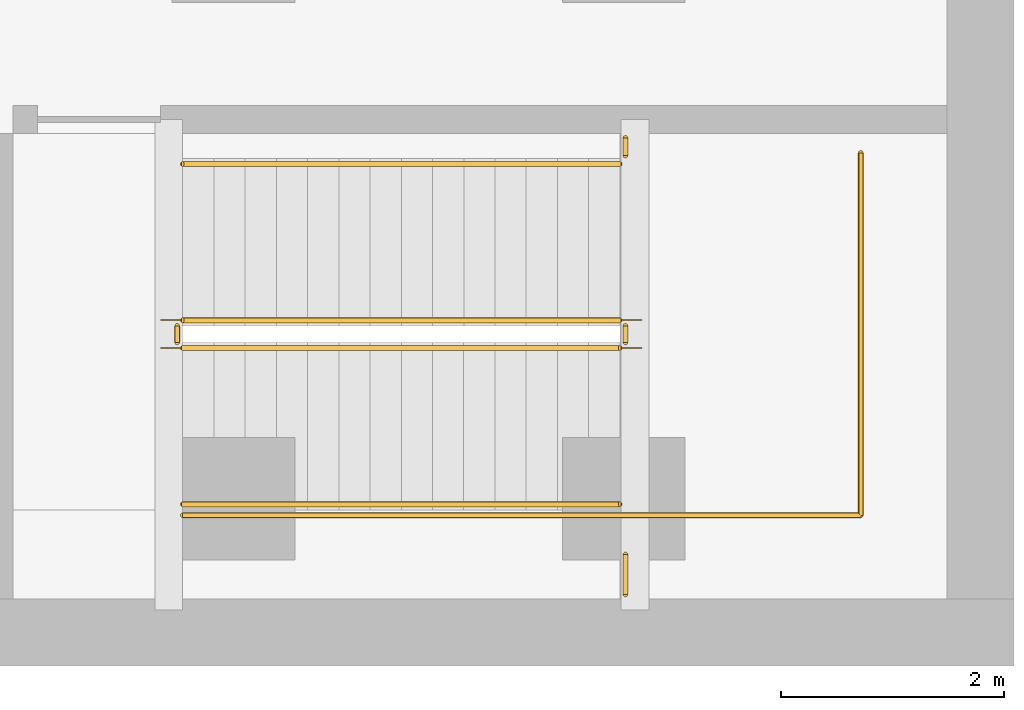
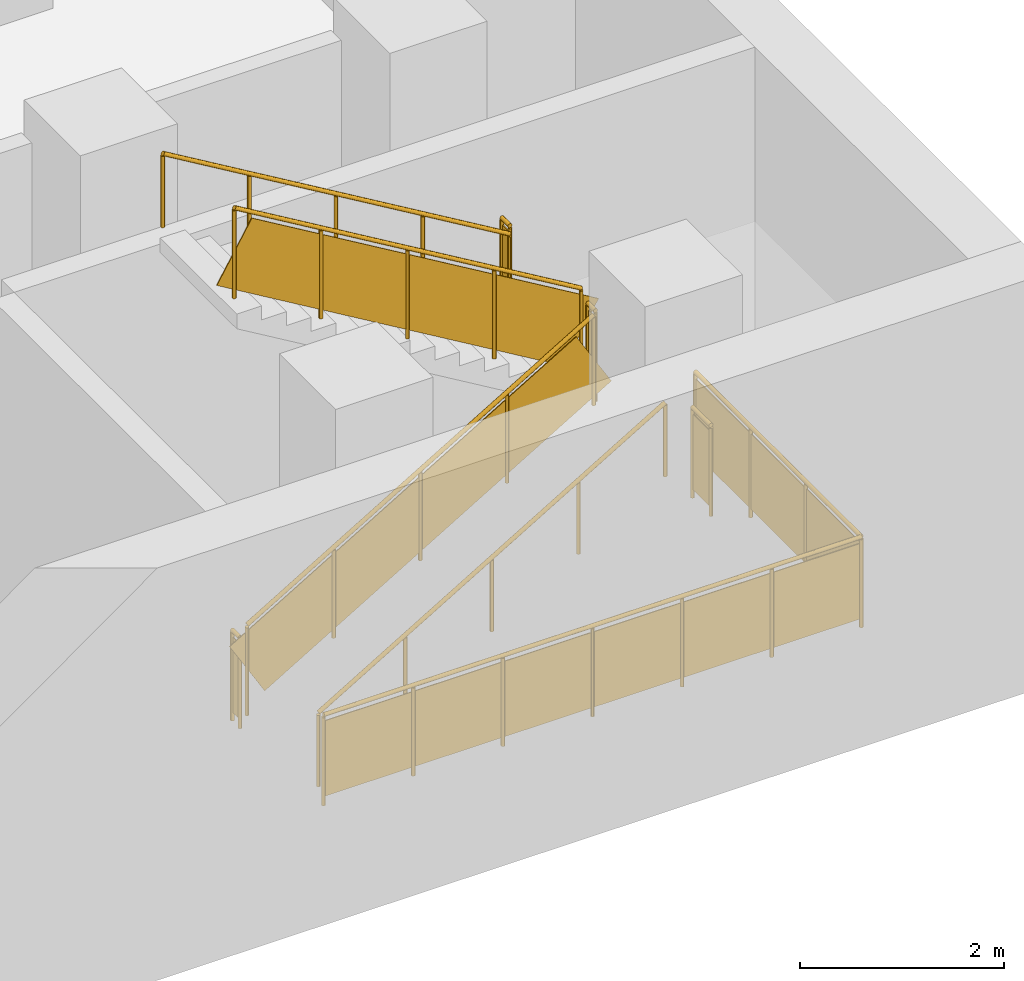
# One storey, part 10 of 12: 9 railings.
"""IFC4 building model written with IfcOpenShell, lengths in metres."""

import ifcopenshell
import ifcopenshell.guid

model = None  # the IFC model being written
_history = None  # IfcOwnerHistory: only IFC2X3 demands one
_inside = {}  # id of a spatial element -> (the spatial element, [elements in it])
_under = {}  # id of a project, library or spatial element -> (it, [spatial elements below it])
_declared = {}  # id of a project -> (the project, [libraries it declares])
_typed = {}  # id of a type object -> (the type object, [elements of that type])
_made_of = {}  # id of a material, layer set ... -> (it, [elements and type objects made of it])


def new_model(schema):
    """Start an empty IFC model of exactly this schema.

    Asked for "IFC4X3", IfcOpenShell would pick the latest addendum, in which some entities
    have other attributes; the version numbers below select the first issue.
    IFC2X3 requires an IfcOwnerHistory on every rooted entity: one is made here for all.
    """
    global model, _history
    if schema == "IFC4X3":
        model = ifcopenshell.file(schema_version=(4, 3, 0, 0))
    else:
        model = ifcopenshell.file(schema=schema)
    _inside.clear()
    _under.clear()
    _declared.clear()
    _typed.clear()
    _made_of.clear()
    _history = None
    if model.schema == "IFC2X3":
        org = make("IfcOrganization", Name="unknown")
        user = make(
            "IfcPersonAndOrganization",
            ThePerson=make("IfcPerson", FamilyName="unknown"),
            TheOrganization=org,
        )
        app = make(
            "IfcApplication",
            ApplicationDeveloper=org,
            Version="unknown",
            ApplicationFullName="unknown",
            ApplicationIdentifier="unknown",
        )
        _history = make(
            "IfcOwnerHistory",
            OwningUser=user,
            OwningApplication=app,
            ChangeAction="ADDED",
            CreationDate=0,
        )
    return model


def make(cls, **values):
    """One entity of the class cls with the attributes given. An attribute that is None is left unset."""
    return model.create_entity(
        cls, **{name: value for name, value in values.items() if value is not None}
    )


def rooted(cls, **values):
    """An entity with a GlobalId (a new one), such as an element, a storey or a relation."""
    return make(cls, GlobalId=ifcopenshell.guid.new(), OwnerHistory=_history, **values)


def si_unit(unit_type, name, prefix=None):
    """IfcSIUnit, for example si_unit("LENGTHUNIT", "METRE", prefix="MILLI")."""
    return make("IfcSIUnit", UnitType=unit_type, Prefix=prefix, Name=name)


def assignment(units):
    """IfcUnitAssignment: the units of a project."""
    return None if units is None else make("IfcUnitAssignment", Units=units)


def point(xyz):
    """IfcCartesianPoint."""
    return None if xyz is None else make("IfcCartesianPoint", Coordinates=xyz)


def direction(xyz):
    """IfcDirection."""
    return None if xyz is None else make("IfcDirection", DirectionRatios=xyz)


def frame(location, z_axis=None, x_axis=None):
    """IfcAxis2Placement3D, a coordinate frame: its origin and axes. An axis left out is left unset."""
    return make(
        "IfcAxis2Placement3D",
        Location=point(location),
        Axis=direction(z_axis),
        RefDirection=direction(x_axis),
    )


def frame_2d(location, x_axis=None):
    """IfcAxis2Placement2D, a coordinate frame in the plane: its origin and x axis."""
    return make(
        "IfcAxis2Placement2D", Location=point(location), RefDirection=direction(x_axis)
    )


def origin():
    """The frame at (0, 0, 0) with its axes left unset."""
    return frame((0.0, 0.0, 0.0))


def origin_2d():
    """The frame at (0, 0) in the plane with its x axis left unset."""
    return frame_2d((0.0, 0.0))


def place(relative_to, where):
    """IfcLocalPlacement: puts the frame where relative to a parent placement (None: the world)."""
    return make(
        "IfcLocalPlacement", PlacementRelTo=relative_to, RelativePlacement=where
    )


def context(
    kind, dimensions, precision=None, world=None, true_north=None, identifier=None
):
    """IfcGeometricRepresentationContext, for example the 3D "Model" context."""
    return make(
        "IfcGeometricRepresentationContext",
        ContextIdentifier=identifier,
        ContextType=kind,
        CoordinateSpaceDimension=dimensions,
        Precision=precision,
        WorldCoordinateSystem=world,
        TrueNorth=true_north,
    )


def subcontext(parent, identifier, kind, view, scale=None):
    """IfcGeometricRepresentationSubContext, for example "Body" below "Model"."""
    return make(
        "IfcGeometricRepresentationSubContext",
        ContextIdentifier=identifier,
        ContextType=kind,
        ParentContext=parent,
        TargetScale=scale,
        TargetView=view,
    )


def project(units=None, contexts=None):
    """IfcProject with its units and contexts."""
    return rooted(
        "IfcProject",
        Name="project",
        RepresentationContexts=contexts,
        UnitsInContext=assignment(units),
    )


def spatial(cls, under=None, at=None, **own):
    """A site, building, storey or space (cls), placed at a placement, below another one or the project."""
    s = rooted(cls, ObjectPlacement=at, **own)
    if under is not None:
        _under.setdefault(under.id(), (under, []))[1].append(s)
    return s


def profile(cls, at=None, kind="AREA", **sizes):
    """A parametric profile (cls). Its sizes go by their IFC names, for example OverallWidth=200.0."""
    return make(cls, ProfileType=kind, Position=at, **sizes)


def rectangle(**sizes):
    """IfcRectangleProfileDef."""
    return profile("IfcRectangleProfileDef", **sizes)


def circle(**sizes):
    """IfcCircleProfileDef."""
    return profile("IfcCircleProfileDef", **sizes)


def extrude(swept, where, along, depth):
    """IfcExtrudedAreaSolid: the profile swept, set in the frame where, extruded along a direction by depth."""
    return make(
        "IfcExtrudedAreaSolid",
        SweptArea=swept,
        Position=where,
        ExtrudedDirection=direction(along),
        Depth=depth,
    )


def shape(context_of_items, identifier, shape_type, items):
    """IfcShapeRepresentation: the items that make up one representation, for example the "Body"."""
    return make(
        "IfcShapeRepresentation",
        ContextOfItems=context_of_items,
        RepresentationIdentifier=identifier,
        RepresentationType=shape_type,
        Items=items,
    )


def material(Name=None, Category=None):
    """IfcMaterial."""
    return make("IfcMaterial", Name=Name, Category=Category)


def made_of(thing, what):
    """Note that an element or type object is made of a material, layer set ...; save() writes the relation."""
    if what is not None:
        _made_of.setdefault(what.id(), (what, []))[1].append(thing)
    return thing


def type_object(cls, material=None, **own):
    """A type object (cls), such as IfcWallType, which elements share."""
    return made_of(rooted(cls, **own), material)


def element(
    cls,
    number,
    at=None,
    inside=None,
    cuts=None,
    type_object=None,
    material=None,
    context=None,
    identifier="Body",
    shape_type=None,
    held_by="IfcProductDefinitionShape",
    body=None,
    shapes=None,
    **own,
):
    """One element of the class cls, such as IfcWall. Its Tag is "e" and its number.

    at: its placement. inside: the storey or other place that contains it. cuts: it is an
    opening in that element (IfcRelVoidsElement). A single representation is given by context,
    identifier, shape_type and body (its items); several are given by shapes. held_by: the class
    of the entity that holds the representations. save() writes the other relations.
    """
    e = rooted(cls, Tag="e%d" % number, ObjectPlacement=at, **own)
    if body is not None:
        shapes = [shape(context, identifier, shape_type, body)]
    if shapes is not None:
        e.Representation = make(held_by, Representations=shapes)
    if inside is not None:
        _inside.setdefault(inside.id(), (inside, []))[1].append(e)
    if cuts is not None:
        rooted(
            "IfcRelVoidsElement", RelatingBuildingElement=cuts, RelatedOpeningElement=e
        )
    if type_object is not None:
        _typed.setdefault(type_object.id(), (type_object, []))[1].append(e)
    return made_of(e, material)


def aggregate(whole, parts):
    """IfcRelAggregates: a whole, such as a stair, and the parts it consists of."""
    return rooted("IfcRelAggregates", RelatingObject=whole, RelatedObjects=parts)


def save(model, path):
    """Write the relations noted so far, then the file.

    IfcRelAggregates (storeys below a building ...), IfcRelContainedInSpatialStructure (elements
    in a storey), IfcRelDefinesByType, IfcRelAssociatesMaterial and IfcRelDeclares: one each for
    every whole, place, type object, material and project.
    """
    for whole, parts in _under.values():
        aggregate(whole, parts)
    for where, things in _inside.values():
        rooted(
            "IfcRelContainedInSpatialStructure",
            RelatedElements=things,
            RelatingStructure=where,
        )
    for kind, things in _typed.values():
        rooted("IfcRelDefinesByType", RelatedObjects=things, RelatingType=kind)
    for what, things in _made_of.values():
        rooted("IfcRelAssociatesMaterial", RelatedObjects=things, RelatingMaterial=what)
    for by, libraries in _declared.values():
        rooted("IfcRelDeclares", RelatingContext=by, RelatedDefinitions=libraries)
    model.write(path)


model = new_model("IFC4")

# Units and contexts
model_context = context("Model", 3, precision=1e-05, world=origin(), true_north=direction((0.0, 1.0)))
body_context = subcontext(model_context, "Body", "Model", "MODEL_VIEW")
ifc_project = project(units=[si_unit("LENGTHUNIT", "METRE"), si_unit("AREAUNIT", "SQUARE_METRE"), si_unit("VOLUMEUNIT", "CUBIC_METRE"), si_unit("PLANEANGLEUNIT", "RADIAN"), si_unit("MASSUNIT", "GRAM", prefix="KILO")], contexts=[model_context])

# Site, building, storey
site_placement = place(None, origin())
site = spatial("IfcSite", under=ifc_project, at=site_placement, CompositionType="ELEMENT")
building_placement = place(site_placement, origin())
building = spatial("IfcBuilding", under=site, at=building_placement, Name="Vidyagriha Tower", CompositionType="ELEMENT")
storey_placement = place(building_placement, frame((0.0, 0.0, -5.0)))
storey = spatial("IfcBuildingStorey", under=building, at=storey_placement, Name="B1", CompositionType="ELEMENT", Elevation=-5.0)

# Railings
ifc_material_1 = material(Name="Powder coated ASTM A500 Grade C steel balustrade", Category="steel")
railing_type_1 = type_object("IfcRailingType", Name="Podium Stair Guard 1100", PredefinedType="GUARDRAIL", material=ifc_material_1)
railing_1_placement = place(storey_placement, frame((33.544921875, -48.14990234375, 0.166748046875)))
element("IfcRailing", 1, at=railing_1_placement, inside=storey, type_object=railing_type_1, Name="B1 PS2 stair guard 1", PredefinedType="GUARDRAIL", context=body_context, shape_type="SweptSolid", body=[
    extrude(circle(Radius=0.02392578125, at=origin_2d()), frame((0.0, 0.0, 1.076171875), z_axis=(0.859310244771, 0.0, 0.511454693235), x_axis=(0.0, 1.0, 0.0)), (0.0, 0.0, 1.0), 4.56201171875),
    extrude(circle(Radius=0.02099609375, at=origin_2d()), origin(), (0.0, 0.0, 1.0), 1.052001953125),
    extrude(circle(Radius=0.02099609375, at=origin_2d()), frame((0.97998046875, 0.0, 0.583251953125)), (0.0, 0.0, 1.0), 1.052001953125),
    extrude(circle(Radius=0.02099609375, at=origin_2d()), frame((1.9599609375, 0.0, 1.16650390625)), (0.0, 0.0, 1.0), 1.052001953125),
    extrude(circle(Radius=0.02099609375, at=origin_2d()), frame((2.940185546875, 0.0, 1.75)), (0.0, 0.0, 1.0), 1.052001953125),
    extrude(circle(Radius=0.02099609375, at=origin_2d()), frame((3.920166015625, 0.0, 2.333251953125)), (0.0, 0.0, 1.0), 1.052001953125),
    extrude(rectangle(XDim=0.010009765625, YDim=0.775146484375, at=origin_2d()), frame((0.0, 0.0, 0.551025390625), z_axis=(0.859310244771, 0.0, 0.511454693235), x_axis=(0.0, 1.0, 0.0)), (0.0, 0.0, 1.0), 4.56201171875),
])
railing_2_placement = place(storey_placement, frame((37.514892578125, -48.10009765625, 2.5)))
element("IfcRailing", 2, at=railing_2_placement, inside=storey, type_object=railing_type_1, Name="B1 PS2 stair guard 2", PredefinedType="GUARDRAIL", context=body_context, shape_type="SweptSolid", body=[
    extrude(circle(Radius=0.02392578125, at=origin_2d()), frame((0.0, 0.0, 1.076171875), z_axis=(0.0, 1.0, 0.0), x_axis=(-1.0, 0.0, 0.0)), (0.0, 0.0, 1.0), 0.150146484375),
    extrude(circle(Radius=0.02099609375, at=origin_2d()), origin(), (0.0, 0.0, 1.0), 1.052001953125),
    extrude(circle(Radius=0.02099609375, at=origin_2d()), frame((0.0, 0.150146484375, 0.0)), (0.0, 0.0, 1.0), 1.052001953125),
    extrude(rectangle(XDim=0.010009765625, YDim=0.902099609375, at=origin_2d()), frame((0.0, 0.0, 0.551025390625), z_axis=(0.0, 1.0, 0.0), x_axis=(-1.0, 0.0, 0.0)), (0.0, 0.0, 1.0), 0.150146484375),
])
railing_3_placement = place(storey_placement, frame((37.465087890625, -47.89990234375, 2.666748046875)))
element("IfcRailing", 3, at=railing_3_placement, inside=storey, type_object=railing_type_1, Name="B1 PS2 stair guard 3", PredefinedType="GUARDRAIL", context=body_context, shape_type="SweptSolid", body=[
    extrude(circle(Radius=0.02392578125, at=origin_2d()), frame((0.0, 0.0, 1.076171875), z_axis=(-0.859310244771, 0.0, 0.511454693235), x_axis=(0.0, -1.0, 0.0)), (0.0, 0.0, 1.0), 4.56201171875),
    extrude(circle(Radius=0.02099609375, at=origin_2d()), origin(), (0.0, 0.0, 1.0), 1.052001953125),
    extrude(circle(Radius=0.02099609375, at=origin_2d()), frame((-0.97998046875, 0.0, 0.583251953125)), (0.0, 0.0, 1.0), 1.052001953125),
    extrude(circle(Radius=0.02099609375, at=origin_2d()), frame((-1.9599609375, 0.0, 1.16650390625)), (0.0, 0.0, 1.0), 1.052001953125),
    extrude(circle(Radius=0.02099609375, at=origin_2d()), frame((-2.940185546875, 0.0, 1.75)), (0.0, 0.0, 1.0), 1.052001953125),
    extrude(circle(Radius=0.02099609375, at=origin_2d()), frame((-3.920166015625, 0.0, 2.333251953125)), (0.0, 0.0, 1.0), 1.052001953125),
    extrude(rectangle(XDim=0.010009765625, YDim=0.775146484375, at=origin_2d()), frame((0.0, 0.0, 0.551025390625), z_axis=(-0.859310244771, 0.0, 0.511454693235), x_axis=(0.0, -1.0, 0.0)), (0.0, 0.0, 1.0), 4.56201171875),
])
railing_4_placement = place(storey_placement, frame((33.4951171875, -48.10009765625, 0.0)))
element("IfcRailing", 4, at=railing_4_placement, inside=storey, type_object=railing_type_1, Name="B1 PS2 stair guard 4", PredefinedType="GUARDRAIL", context=body_context, shape_type="SweptSolid", body=[
    extrude(circle(Radius=0.02392578125, at=origin_2d()), frame((0.0, 0.0, 1.076171875), z_axis=(0.0, 1.0, 0.0), x_axis=(-1.0, 0.0, 0.0)), (0.0, 0.0, 1.0), 0.150146484375),
    extrude(circle(Radius=0.02099609375, at=origin_2d()), origin(), (0.0, 0.0, 1.0), 1.052001953125),
    extrude(circle(Radius=0.02099609375, at=origin_2d()), frame((0.0, 0.150146484375, 0.0)), (0.0, 0.0, 1.0), 1.052001953125),
    extrude(rectangle(XDim=0.010009765625, YDim=0.902099609375, at=origin_2d()), frame((0.0, 0.0, 0.551025390625), z_axis=(0.0, 1.0, 0.0), x_axis=(-1.0, 0.0, 0.0)), (0.0, 0.0, 1.0), 0.150146484375),
])
railing_5_placement = place(storey_placement, frame((33.544921875, -49.64990234375, 0.0)))
element("IfcRailing", 5, at=railing_5_placement, inside=storey, type_object=railing_type_1, Name="B1 PS2 stair well guard 1", PredefinedType="GUARDRAIL", context=body_context, shape_type="SweptSolid", body=[
    extrude(circle(Radius=0.02392578125, at=origin_2d()), frame((0.0, 0.0, 1.076171875), z_axis=(1.0, 0.0, 0.0), x_axis=(0.0, 1.0, 0.0)), (0.0, 0.0, 1.0), 6.080078125),
    extrude(circle(Radius=0.02392578125, at=origin_2d()), frame((6.080078125, 0.0, 1.076171875), z_axis=(0.0, 1.0, 0.0), x_axis=(-1.0, 0.0, 0.0)), (0.0, 0.0, 1.0), 3.25),
    extrude(circle(Radius=0.02099609375, at=origin_2d()), origin(), (0.0, 0.0, 1.0), 1.052001953125),
    extrude(circle(Radius=0.02099609375, at=origin_2d()), frame((1.013427734375, 0.0, 0.0)), (0.0, 0.0, 1.0), 1.052001953125),
    extrude(circle(Radius=0.02099609375, at=origin_2d()), frame((2.026611328125, 0.0, 0.0)), (0.0, 0.0, 1.0), 1.052001953125),
    extrude(circle(Radius=0.02099609375, at=origin_2d()), frame((3.0400390625, 0.0, 0.0)), (0.0, 0.0, 1.0), 1.052001953125),
    extrude(circle(Radius=0.02099609375, at=origin_2d()), frame((4.053466796875, 0.0, 0.0)), (0.0, 0.0, 1.0), 1.052001953125),
    extrude(circle(Radius=0.02099609375, at=origin_2d()), frame((5.066650390625, 0.0, 0.0)), (0.0, 0.0, 1.0), 1.052001953125),
    extrude(circle(Radius=0.02099609375, at=origin_2d()), frame((6.080078125, 0.0, 0.0)), (0.0, 0.0, 1.0), 1.052001953125),
    extrude(circle(Radius=0.02099609375, at=origin_2d()), frame((6.080078125, 1.083251953125, 0.0)), (0.0, 0.0, 1.0), 1.052001953125),
    extrude(circle(Radius=0.02099609375, at=origin_2d()), frame((6.080078125, 2.166748046875, 0.0)), (0.0, 0.0, 1.0), 1.052001953125),
    extrude(circle(Radius=0.02099609375, at=origin_2d()), frame((6.080078125, 3.25, 0.0)), (0.0, 0.0, 1.0), 1.052001953125),
    extrude(rectangle(XDim=0.010009765625, YDim=0.902099609375, at=origin_2d()), frame((0.0, 0.0, 0.551025390625), z_axis=(1.0, 0.0, 0.0), x_axis=(0.0, 1.0, 0.0)), (0.0, 0.0, 1.0), 6.080078125),
    extrude(rectangle(XDim=0.010009765625, YDim=0.902099609375, at=origin_2d()), frame((6.080078125, 0.0, 0.551025390625), z_axis=(0.0, 1.0, 0.0), x_axis=(-1.0, 0.0, 0.0)), (0.0, 0.0, 1.0), 3.25),
])
railing_6_placement = place(storey_placement, frame((37.514892578125, -50.360107421875, 2.5)))
element("IfcRailing", 6, at=railing_6_placement, inside=storey, type_object=railing_type_1, Name="B1 PS2 landing edge guard 1S", PredefinedType="GUARDRAIL", context=body_context, shape_type="SweptSolid", body=[
    extrude(circle(Radius=0.02392578125, at=origin_2d()), frame((0.0, 0.0, 1.076171875), z_axis=(0.0, 1.0, 0.0), x_axis=(-1.0, 0.0, 0.0)), (0.0, 0.0, 1.0), 0.360107421875),
    extrude(circle(Radius=0.02099609375, at=origin_2d()), origin(), (0.0, 0.0, 1.0), 1.052001953125),
    extrude(circle(Radius=0.02099609375, at=origin_2d()), frame((0.0, 0.360107421875, 0.0)), (0.0, 0.0, 1.0), 1.052001953125),
    extrude(rectangle(XDim=0.010009765625, YDim=0.902099609375, at=origin_2d()), frame((0.0, 0.0, 0.551025390625), z_axis=(0.0, 1.0, 0.0), x_axis=(-1.0, 0.0, 0.0)), (0.0, 0.0, 1.0), 0.360107421875),
])
railing_7_placement = place(storey_placement, frame((37.514892578125, -46.264892578125, 2.5)))
element("IfcRailing", 7, at=railing_7_placement, inside=storey, type_object=railing_type_1, Name="B1 PS2 landing edge guard 1N", PredefinedType="GUARDRAIL", context=body_context, shape_type="SweptSolid", body=[
    extrude(circle(Radius=0.02392578125, at=origin_2d()), frame((0.0, 0.0, 1.076171875), z_axis=(0.0, -1.0, 0.0), x_axis=(1.0, 0.0, 0.0)), (0.0, 0.0, 1.0), 0.16015625),
    extrude(circle(Radius=0.02099609375, at=origin_2d()), origin(), (0.0, 0.0, 1.0), 1.052001953125),
    extrude(circle(Radius=0.02099609375, at=origin_2d()), frame((0.0, -0.16015625, 0.0)), (0.0, 0.0, 1.0), 1.052001953125),
    extrude(rectangle(XDim=0.010009765625, YDim=0.902099609375, at=origin_2d()), frame((0.0, 0.0, 0.551025390625), z_axis=(0.0, -1.0, 0.0), x_axis=(1.0, 0.0, 0.0)), (0.0, 0.0, 1.0), 0.16015625),
])
ifc_material_2 = material(Name="Powder coated ASTM A500 Grade C steel handrail", Category="steel")
railing_type_2 = type_object("IfcRailingType", Name="Podium Stair Handrail 900", PredefinedType="HANDRAIL", material=ifc_material_2)
railing_8_placement = place(storey_placement, frame((33.544921875, -49.550048828125, 0.166748046875)))
element("IfcRailing", 8, at=railing_8_placement, inside=storey, type_object=railing_type_2, Name="B1 PS2 stair handrail 1", PredefinedType="HANDRAIL", context=body_context, shape_type="SweptSolid", body=[
    extrude(circle(Radius=0.02392578125, at=origin_2d()), frame((0.0, 0.0, 0.8759765625), z_axis=(0.859310244771, 0.0, 0.511454693235), x_axis=(0.0, 1.0, 0.0)), (0.0, 0.0, 1.0), 4.56201171875),
    extrude(circle(Radius=0.02099609375, at=origin_2d()), origin(), (0.0, 0.0, 1.0), 0.851806640625),
    extrude(circle(Radius=0.02099609375, at=origin_2d()), frame((0.97998046875, 0.0, 0.583251953125)), (0.0, 0.0, 1.0), 0.851806640625),
    extrude(circle(Radius=0.02099609375, at=origin_2d()), frame((1.9599609375, 0.0, 1.16650390625)), (0.0, 0.0, 1.0), 0.851806640625),
    extrude(circle(Radius=0.02099609375, at=origin_2d()), frame((2.940185546875, 0.0, 1.75)), (0.0, 0.0, 1.0), 0.851806640625),
    extrude(circle(Radius=0.02099609375, at=origin_2d()), frame((3.920166015625, 0.0, 2.333251953125)), (0.0, 0.0, 1.0), 0.851806640625),
])
railing_9_placement = place(storey_placement, frame((37.465087890625, -46.5, 2.666748046875)))
element("IfcRailing", 9, at=railing_9_placement, inside=storey, type_object=railing_type_2, Name="B1 PS2 stair handrail 2", PredefinedType="HANDRAIL", context=body_context, shape_type="SweptSolid", body=[
    extrude(circle(Radius=0.02392578125, at=origin_2d()), frame((0.0, 0.0, 0.8759765625), z_axis=(-0.859310244771, 0.0, 0.511454693235), x_axis=(0.0, -1.0, 0.0)), (0.0, 0.0, 1.0), 4.56201171875),
    extrude(circle(Radius=0.02099609375, at=origin_2d()), origin(), (0.0, 0.0, 1.0), 0.851806640625),
    extrude(circle(Radius=0.02099609375, at=origin_2d()), frame((-0.97998046875, 0.0, 0.583251953125)), (0.0, 0.0, 1.0), 0.851806640625),
    extrude(circle(Radius=0.02099609375, at=origin_2d()), frame((-1.9599609375, 0.0, 1.16650390625)), (0.0, 0.0, 1.0), 0.851806640625),
    extrude(circle(Radius=0.02099609375, at=origin_2d()), frame((-2.940185546875, 0.0, 1.75)), (0.0, 0.0, 1.0), 0.851806640625),
    extrude(circle(Radius=0.02099609375, at=origin_2d()), frame((-3.920166015625, 0.0, 2.333251953125)), (0.0, 0.0, 1.0), 0.851806640625),
])

save(model, "model.ifc")
